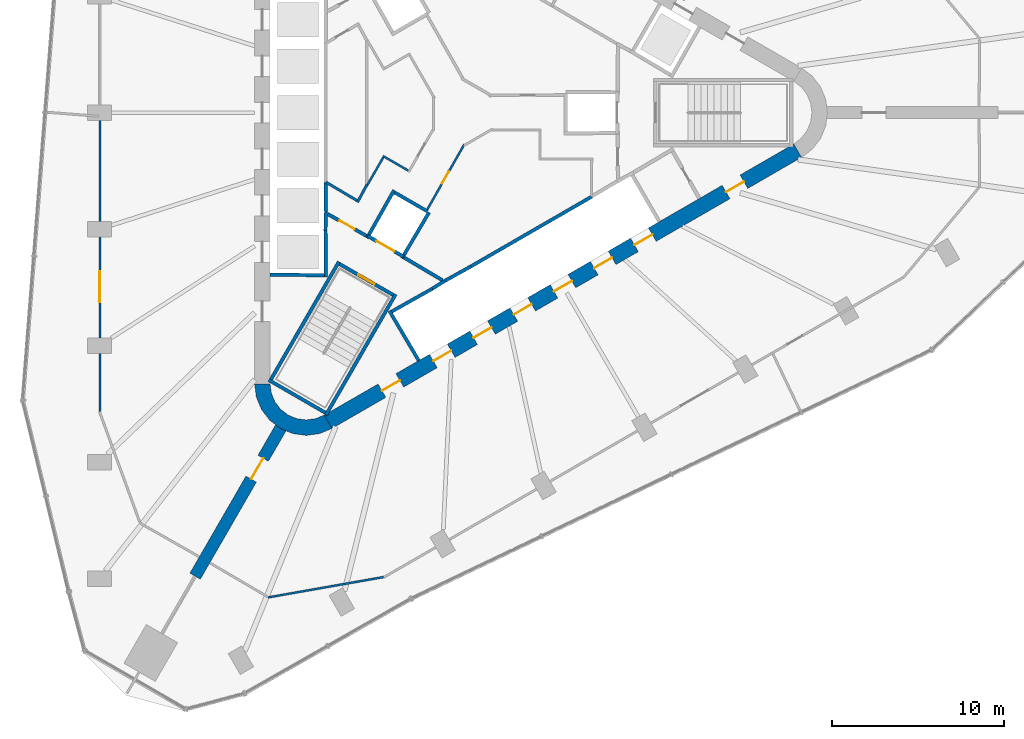
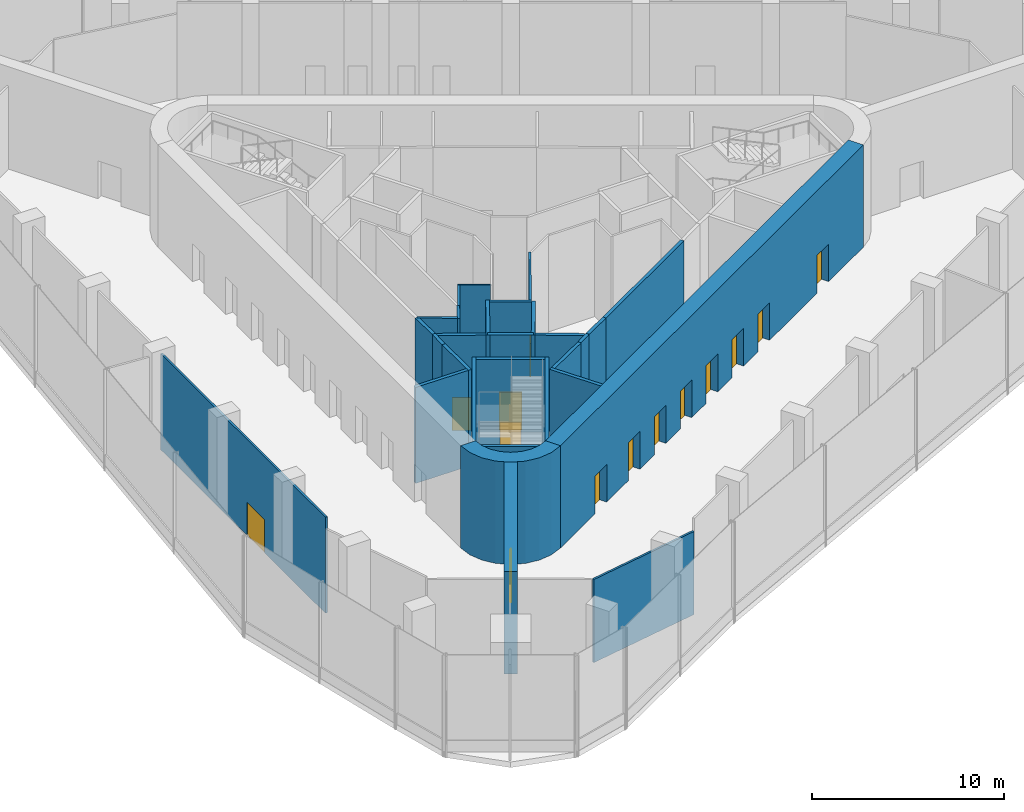
# One storey, part 8 of 15: 29 walls, 14 doors, 14 openings.
"""IFC4 building model written with IfcOpenShell, lengths in metres."""

from ifc_helpers import new_model, si_unit, direction, frame, frame_2d, origin, place, context, subcontext, project, spatial, polyline, rectangle, outline, extrude, material, layer, layer_set, type_object, element, fill, save


model = new_model("IFC4")

# Units and contexts
model_context = context("Model", 3, precision=1e-05, world=origin(), true_north=direction((0.0, 1.0)))
body_context = subcontext(model_context, "Body", "Model", "MODEL_VIEW")
ifc_project = project(units=[si_unit("LENGTHUNIT", "METRE"), si_unit("AREAUNIT", "SQUARE_METRE"), si_unit("VOLUMEUNIT", "CUBIC_METRE"), si_unit("PLANEANGLEUNIT", "RADIAN"), si_unit("MASSUNIT", "GRAM", prefix="KILO")], contexts=[model_context])

# Site, building, storey
site_placement = place(None, origin())
site = spatial("IfcSite", under=ifc_project, at=site_placement, CompositionType="ELEMENT")
building_placement = place(site_placement, origin())
building = spatial("IfcBuilding", under=site, at=building_placement, Name="Tanit Gate Tower", CompositionType="ELEMENT")
storey_placement = place(building_placement, frame((0.0, 0.0, 277.199951171875)))
storey = spatial("IfcBuildingStorey", under=building, at=storey_placement, Name="L63", CompositionType="ELEMENT", Elevation=277.199951171875)

# Wall, opening, door
ifc_material_1 = material(Name="Concrete C50/60", Category="concrete")
ifc_layer_1 = layer(ifc_material_1, 0.699951171875)
ifc_layer_set_1 = layer_set([ifc_layer_1], Name="BUTTRESS FIN 700 C50/60")
wall_type_1 = type_object("IfcWallType", Name="BUTTRESS FIN 700 C50/60", PredefinedType="SHEAR", material=ifc_layer_set_1)
wall_1_placement = place(storey_placement, frame((-10.574951171875, -18.31640625, 0.0), z_axis=(0.0, 0.0, 1.0), x_axis=(-0.500007350791, -0.866021159762, 0.0)))
wall_1 = element("IfcWall", 1, at=wall_1_placement, inside=storey, type_object=wall_type_1, Name="BUTTRESS FIN", PredefinedType="SHEAR", context=body_context, shape_type="SweptSolid", body=[
    extrude(rectangle(XDim=9.964599609375, YDim=0.699951171875, at=frame_2d((4.982421875, 0.0))), origin(), (0.0, 0.0, 1.0), 6.5),
])
opening_1_placement = place(wall_1_placement, frame((2.050048828125, 0.0, 0.0)))
opening_1 = element("IfcOpeningElement", 2, at=opening_1_placement, cuts=wall_1, Name="Opening P14-63-F-SW-1", PredefinedType="OPENING", context=body_context, shape_type="SweptSolid", body=[
    extrude(rectangle(XDim=1.39990234375, YDim=2.39990234375, at=frame_2d((0.699951171875, 1.199951171875))), frame((0.0, 0.35986328125, 0.0), z_axis=(0.0, -1.0, 0.0), x_axis=(1.0, 0.0, 0.0)), (0.0, 0.0, 1.0), 0.719970703125),
])
ifc_material_2 = material(Name="Timber door leaf", Category="wood")
door_type_1 = type_object("IfcDoorType", Name="INT-DOOR-FIN-PAIR-1400", OperationType="NOTDEFINED", PredefinedType="NOTDEFINED", material=ifc_material_2)
door_1_placement = place(opening_1_placement, origin())
door_1 = element("IfcDoor", 3, at=door_1_placement, inside=storey, type_object=door_type_1, Name="Door P14-63-F-SW-1", OperationType="DOUBLE_DOOR_SINGLE_SWING", OverallHeight=2.39990234375, OverallWidth=1.39990234375, PredefinedType="NOTDEFINED", context=body_context, shape_type="SweptSolid", body=[
    extrude(rectangle(XDim=1.39990234375, YDim=2.39990234375, at=frame_2d((0.699951171875, 1.199951171875))), frame((0.0, 0.02490234375, 0.0), z_axis=(0.0, -1.0, 0.0), x_axis=(1.0, 0.0, 0.0)), (0.0, 0.0, 1.0), 0.050048828125),
])
fill(opening_1, door_1)

# Wall, openings, doors
ifc_material_3 = material(Name="Concrete C50/60", Category="concrete")
ifc_layer_2 = layer(ifc_material_3, 0.89990234375)
ifc_layer_set_2 = layer_set([ifc_layer_2], Name="CORE WALL 900 C50/60")
wall_type_2 = type_object("IfcWallType", Name="CORE WALL 900 C50/60", PredefinedType="SHEAR", material=ifc_layer_set_2)
wall_2_placement = place(storey_placement, frame((-7.824951171875, -17.969970703125, 0.0), z_axis=(0.0, 0.0, 1.0), x_axis=(0.866028369851, 0.499994862586, 0.0)))
wall_2 = element("IfcWall", 4, at=wall_2_placement, inside=storey, type_object=wall_type_2, Name="CORE WALL", PredefinedType="SHEAR", context=body_context, shape_type="SweptSolid", body=[
    extrude(rectangle(XDim=31.523193359375, YDim=0.89990234375, at=frame_2d((15.76171875, 0.0))), origin(), (0.0, 0.0, 1.0), 6.5),
])
opening_2_placement = place(wall_2_placement, frame((7.061767578125, 0.0, 0.0)))
opening_2 = element("IfcOpeningElement", 5, at=opening_2_placement, cuts=wall_2, Name="Opening LDSX1-63", PredefinedType="OPENING", context=body_context, shape_type="SweptSolid", body=[
    extrude(rectangle(XDim=1.199951171875, YDim=2.39990234375, at=frame_2d((0.60009765625, 1.199951171875))), frame((0.0, 0.4599609375, 0.0), z_axis=(0.0, -1.0, 0.0), x_axis=(1.0, 0.0, 0.0)), (0.0, 0.0, 1.0), 0.919921875),
])
opening_3_placement = place(wall_2_placement, frame((9.76171875, 0.0, 0.0)))
opening_3 = element("IfcOpeningElement", 6, at=opening_3_placement, cuts=wall_2, Name="Opening LDSX2-63", PredefinedType="OPENING", context=body_context, shape_type="SweptSolid", body=[
    extrude(rectangle(XDim=1.199951171875, YDim=2.39990234375, at=frame_2d((0.60009765625, 1.199951171875))), frame((0.0, 0.4599609375, 0.0), z_axis=(0.0, -1.0, 0.0), x_axis=(1.0, 0.0, 0.0)), (0.0, 0.0, 1.0), 0.919921875),
])
opening_4_placement = place(wall_2_placement, frame((12.461669921875, 0.0, 0.0)))
opening_4 = element("IfcOpeningElement", 7, at=opening_4_placement, cuts=wall_2, Name="Opening LDSX3-63", PredefinedType="OPENING", context=body_context, shape_type="SweptSolid", body=[
    extrude(rectangle(XDim=1.199951171875, YDim=2.39990234375, at=frame_2d((0.60009765625, 1.199951171875))), frame((0.0, 0.4599609375, 0.0), z_axis=(0.0, -1.0, 0.0), x_axis=(1.0, 0.0, 0.0)), (0.0, 0.0, 1.0), 0.919921875),
])
opening_5_placement = place(wall_2_placement, frame((15.16162109375, 0.0, 0.0)))
opening_5 = element("IfcOpeningElement", 8, at=opening_5_placement, cuts=wall_2, Name="Opening LDSX4-63", PredefinedType="OPENING", context=body_context, shape_type="SweptSolid", body=[
    extrude(rectangle(XDim=1.199951171875, YDim=2.39990234375, at=frame_2d((0.60009765625, 1.199951171875))), frame((0.0, 0.4599609375, 0.0), z_axis=(0.0, -1.0, 0.0), x_axis=(1.0, 0.0, 0.0)), (0.0, 0.0, 1.0), 0.919921875),
])
opening_6_placement = place(wall_2_placement, frame((17.861572265625, 0.0, 0.0)))
opening_6 = element("IfcOpeningElement", 9, at=opening_6_placement, cuts=wall_2, Name="Opening LDSV1-63", PredefinedType="OPENING", context=body_context, shape_type="SweptSolid", body=[
    extrude(rectangle(XDim=1.199951171875, YDim=2.39990234375, at=frame_2d((0.60009765625, 1.199951171875))), frame((0.0, 0.4599609375, 0.0), z_axis=(0.0, -1.0, 0.0), x_axis=(1.0, 0.0, 0.0)), (0.0, 0.0, 1.0), 0.919921875),
])
opening_7_placement = place(wall_2_placement, frame((20.561767578125, 0.0, 0.0)))
opening_7 = element("IfcOpeningElement", 10, at=opening_7_placement, cuts=wall_2, Name="Opening LDSV2-63", PredefinedType="OPENING", context=body_context, shape_type="SweptSolid", body=[
    extrude(rectangle(XDim=1.199951171875, YDim=2.39990234375, at=frame_2d((0.60009765625, 1.199951171875))), frame((0.0, 0.4599609375, 0.0), z_axis=(0.0, -1.0, 0.0), x_axis=(1.0, 0.0, 0.0)), (0.0, 0.0, 1.0), 0.919921875),
])
opening_8_placement = place(wall_2_placement, frame((26.711669921875, 0.0, 0.0)))
opening_8 = element("IfcOpeningElement", 11, at=opening_8_placement, cuts=wall_2, Name="Opening F12-63-S1", PredefinedType="OPENING", context=body_context, shape_type="SweptSolid", body=[
    extrude(rectangle(XDim=1.199951171875, YDim=2.39990234375, at=frame_2d((0.60009765625, 1.199951171875))), frame((0.0, 0.4599609375, 0.0), z_axis=(0.0, -1.0, 0.0), x_axis=(1.0, 0.0, 0.0)), (0.0, 0.0, 1.0), 0.919921875),
])
opening_9_placement = place(wall_2_placement, frame((3.611572265625, 0.0, 0.0)))
opening_9 = element("IfcOpeningElement", 12, at=opening_9_placement, cuts=wall_2, Name="Opening F12-63-FL3", PredefinedType="OPENING", context=body_context, shape_type="SweptSolid", body=[
    extrude(rectangle(XDim=1.199951171875, YDim=2.39990234375, at=frame_2d((0.60009765625, 1.199951171875))), frame((0.0, 0.4599609375, 0.0), z_axis=(0.0, -1.0, 0.0), x_axis=(1.0, 0.0, 0.0)), (0.0, 0.0, 1.0), 0.919921875),
])
ifc_material_4 = material(Name="Fire-rated steel door leaf", Category="steel")
door_type_2 = type_object("IfcDoorType", Name="INT-DOOR-FIRE-LOBBY-1200", OperationType="NOTDEFINED", PredefinedType="USERDEFINED", material=ifc_material_4)
door_2_placement = place(opening_8_placement, origin())
door_2 = element("IfcDoor", 13, at=door_2_placement, inside=storey, type_object=door_type_2, Name="Door F12-63-S1", ObjectType="FIRE DOOR", OperationType="SINGLE_SWING_LEFT", OverallHeight=2.39990234375, OverallWidth=1.199951171875, PredefinedType="USERDEFINED", context=body_context, shape_type="SweptSolid", body=[
    extrude(rectangle(XDim=1.199951171875, YDim=2.39990234375, at=frame_2d((0.60009765625, 1.199951171875))), frame((0.0, 0.02490234375, 0.0), z_axis=(0.0, -1.0, 0.0), x_axis=(1.0, 0.0, 0.0)), (0.0, 0.0, 1.0), 0.050048828125),
])
fill(opening_8, door_2)
door_3_placement = place(opening_9_placement, origin())
door_3 = element("IfcDoor", 14, at=door_3_placement, inside=storey, type_object=door_type_2, Name="Door F12-63-FL3", ObjectType="FIRE DOOR", OperationType="SINGLE_SWING_RIGHT", OverallHeight=2.39990234375, OverallWidth=1.199951171875, PredefinedType="USERDEFINED", context=body_context, shape_type="SweptSolid", body=[
    extrude(rectangle(XDim=1.199951171875, YDim=2.39990234375, at=frame_2d((0.60009765625, 1.199951171875))), frame((0.0, 0.02490234375, 0.0), z_axis=(0.0, -1.0, 0.0), x_axis=(1.0, 0.0, 0.0)), (0.0, 0.0, 1.0), 0.050048828125),
])
fill(opening_9, door_3)
ifc_material_5 = material(Name="Stainless steel sliding door leaf", Category="steel")
door_type_3 = type_object("IfcDoorType", Name="INT-DOOR-LANDING-1200", OperationType="NOTDEFINED", PredefinedType="USERDEFINED", material=ifc_material_5)
door_4_placement = place(opening_2_placement, origin())
door_4 = element("IfcDoor", 15, at=door_4_placement, inside=storey, type_object=door_type_3, Name="Door LDSX1-63", ObjectType="LANDING DOOR", OperationType="SLIDING_TO_LEFT", OverallHeight=2.39990234375, OverallWidth=1.199951171875, PredefinedType="USERDEFINED", context=body_context, shape_type="SweptSolid", body=[
    extrude(rectangle(XDim=1.199951171875, YDim=2.39990234375, at=frame_2d((0.60009765625, 1.199951171875))), frame((0.0, 0.02490234375, 0.0), z_axis=(0.0, -1.0, 0.0), x_axis=(1.0, 0.0, 0.0)), (0.0, 0.0, 1.0), 0.050048828125),
])
fill(opening_2, door_4)
door_5_placement = place(opening_3_placement, origin())
door_5 = element("IfcDoor", 16, at=door_5_placement, inside=storey, type_object=door_type_3, Name="Door LDSX2-63", ObjectType="LANDING DOOR", OperationType="SLIDING_TO_LEFT", OverallHeight=2.39990234375, OverallWidth=1.199951171875, PredefinedType="USERDEFINED", context=body_context, shape_type="SweptSolid", body=[
    extrude(rectangle(XDim=1.199951171875, YDim=2.39990234375, at=frame_2d((0.60009765625, 1.199951171875))), frame((0.0, 0.02490234375, 0.0), z_axis=(0.0, -1.0, 0.0), x_axis=(1.0, 0.0, 0.0)), (0.0, 0.0, 1.0), 0.050048828125),
])
fill(opening_3, door_5)
door_6_placement = place(opening_4_placement, origin())
door_6 = element("IfcDoor", 17, at=door_6_placement, inside=storey, type_object=door_type_3, Name="Door LDSX3-63", ObjectType="LANDING DOOR", OperationType="SLIDING_TO_LEFT", OverallHeight=2.39990234375, OverallWidth=1.199951171875, PredefinedType="USERDEFINED", context=body_context, shape_type="SweptSolid", body=[
    extrude(rectangle(XDim=1.199951171875, YDim=2.39990234375, at=frame_2d((0.60009765625, 1.199951171875))), frame((0.0, 0.02490234375, 0.0), z_axis=(0.0, -1.0, 0.0), x_axis=(1.0, 0.0, 0.0)), (0.0, 0.0, 1.0), 0.050048828125),
])
fill(opening_4, door_6)
door_7_placement = place(opening_5_placement, origin())
door_7 = element("IfcDoor", 18, at=door_7_placement, inside=storey, type_object=door_type_3, Name="Door LDSX4-63", ObjectType="LANDING DOOR", OperationType="SLIDING_TO_LEFT", OverallHeight=2.39990234375, OverallWidth=1.199951171875, PredefinedType="USERDEFINED", context=body_context, shape_type="SweptSolid", body=[
    extrude(rectangle(XDim=1.199951171875, YDim=2.39990234375, at=frame_2d((0.60009765625, 1.199951171875))), frame((0.0, 0.02490234375, 0.0), z_axis=(0.0, -1.0, 0.0), x_axis=(1.0, 0.0, 0.0)), (0.0, 0.0, 1.0), 0.050048828125),
])
fill(opening_5, door_7)
door_8_placement = place(opening_6_placement, origin())
door_8 = element("IfcDoor", 19, at=door_8_placement, inside=storey, type_object=door_type_3, Name="Door LDSV1-63", ObjectType="LANDING DOOR", OperationType="SLIDING_TO_LEFT", OverallHeight=2.39990234375, OverallWidth=1.199951171875, PredefinedType="USERDEFINED", context=body_context, shape_type="SweptSolid", body=[
    extrude(rectangle(XDim=1.199951171875, YDim=2.39990234375, at=frame_2d((0.60009765625, 1.199951171875))), frame((0.0, 0.02490234375, 0.0), z_axis=(0.0, -1.0, 0.0), x_axis=(1.0, 0.0, 0.0)), (0.0, 0.0, 1.0), 0.050048828125),
])
fill(opening_6, door_8)
door_9_placement = place(opening_7_placement, origin())
door_9 = element("IfcDoor", 20, at=door_9_placement, inside=storey, type_object=door_type_3, Name="Door LDSV2-63", ObjectType="LANDING DOOR", OperationType="SLIDING_TO_LEFT", OverallHeight=2.39990234375, OverallWidth=1.199951171875, PredefinedType="USERDEFINED", context=body_context, shape_type="SweptSolid", body=[
    extrude(rectangle(XDim=1.199951171875, YDim=2.39990234375, at=frame_2d((0.60009765625, 1.199951171875))), frame((0.0, 0.02490234375, 0.0), z_axis=(0.0, -1.0, 0.0), x_axis=(1.0, 0.0, 0.0)), (0.0, 0.0, 1.0), 0.050048828125),
])
fill(opening_7, door_9)

# Walls
wall_3_placement = place(storey_placement, origin())
element("IfcWall", 21, at=wall_3_placement, inside=storey, type_object=wall_type_2, Name="CORE WALL CORNER", PredefinedType="SHEAR", context=body_context, shape_type="SweptSolid", body=[
    extrude(outline(polyline([(-12.10009765625, -15.76171875), (-11.997802734375, -16.5380859375), (-11.697998046875, -17.26171875), (-11.22119140625, -17.883056640625), (-10.60009765625, -18.359619140625), (-9.87646484375, -18.659423828125), (-9.10009765625, -18.76171875), (-8.323486328125, -18.659423828125), (-7.60009765625, -18.359619140625), (-8.050048828125, -17.580322265625), (-8.556396484375, -17.7900390625), (-9.10009765625, -17.86181640625), (-9.6435546875, -17.7900390625), (-10.14990234375, -17.580322265625), (-10.5849609375, -17.24658203125), (-10.918701171875, -16.811767578125), (-11.12841796875, -16.30517578125), (-11.199951171875, -15.76171875), (-12.10009765625, -15.76171875)])), origin(), (0.0, 0.0, 1.0), 6.5),
])
ifc_material_6 = material(Name="Fire-rated gypsum board partition")
ifc_layer_3 = layer(ifc_material_6, 0.199951171875)
ifc_layer_set_3 = layer_set([ifc_layer_3], Name="INT-WALL-COMPARTMENT")
wall_type_3 = type_object("IfcWallType", Name="INT-WALL-COMPARTMENT", PredefinedType="PARTITIONING", material=ifc_layer_set_3)
wall_4_placement = place(storey_placement, frame((-3.400634765625, -8.43017578125, 0.0), z_axis=(0.0, 0.0, 1.0), x_axis=(0.860615607571, -0.509255118781, 0.0)))
element("IfcWall", 22, at=wall_4_placement, inside=storey, type_object=wall_type_3, Name="Wall Compartment W065", PredefinedType="PARTITIONING", context=body_context, shape_type="SweptSolid", body=[
    extrude(rectangle(XDim=2.58056640625, YDim=0.199951171875, at=frame_2d((1.290283203125, 0.0))), origin(), (0.0, 0.0, 1.0), 6.10009765625),
])

# Wall, opening, door
wall_5_placement = place(storey_placement, frame((-7.849365234375, -5.893798828125, 0.0), z_axis=(0.0, 0.0, 1.0), x_axis=(0.871363259478, -0.490638431059, 0.0)))
wall_5 = element("IfcWall", 23, at=wall_5_placement, inside=storey, type_object=wall_type_3, Name="Wall Compartment W066", PredefinedType="PARTITIONING", context=body_context, shape_type="SweptSolid", body=[
    extrude(rectangle(XDim=2.5810546875, YDim=0.199951171875, at=frame_2d((1.29052734375, 0.0))), origin(), (0.0, 0.0, 1.0), 6.10009765625),
])
opening_10_placement = place(wall_5_placement, frame((0.79052734375, 0.0, 0.0)))
opening_10 = element("IfcOpeningElement", 24, at=opening_10_placement, cuts=wall_5, Name="Opening F10-63-08", PredefinedType="OPENING", context=body_context, shape_type="SweptSolid", body=[
    extrude(rectangle(XDim=1.0, YDim=2.10009765625, at=frame_2d((0.5, 1.050048828125))), frame((0.0, 0.10986328125, 0.0), z_axis=(0.0, -1.0, 0.0), x_axis=(1.0, 0.0, 0.0)), (0.0, 0.0, 1.0), 0.219970703125),
])
ifc_material_7 = material(Name="Fire-rated steel door leaf", Category="steel")
door_type_4 = type_object("IfcDoorType", Name="INT-DOOR-FIRE-1000", OperationType="NOTDEFINED", PredefinedType="USERDEFINED", material=ifc_material_7)
door_10_placement = place(opening_10_placement, origin())
door_10 = element("IfcDoor", 25, at=door_10_placement, inside=storey, type_object=door_type_4, Name="Door F10-63-08", ObjectType="FIRE DOOR", OperationType="SINGLE_SWING_RIGHT", OverallHeight=2.10009765625, OverallWidth=1.0, PredefinedType="USERDEFINED", context=body_context, shape_type="SweptSolid", body=[
    extrude(rectangle(XDim=1.0, YDim=2.10009765625, at=frame_2d((0.5, 1.050048828125))), frame((0.0, 0.02490234375, 0.0), z_axis=(0.0, -1.0, 0.0), x_axis=(1.0, 0.0, 0.0)), (0.0, 0.0, 1.0), 0.050048828125),
])
fill(opening_10, door_10)

ifc_material_8 = material(Name="Gypsum board partition")
ifc_layer_4 = layer(ifc_material_8, 0.1201171875)
ifc_layer_set_4 = layer_set([ifc_layer_4], Name="INT-WALL-PARTITION")
wall_type_4 = type_object("IfcWallType", Name="INT-WALL-PARTITION", PredefinedType="PARTITIONING", material=ifc_layer_set_4)
wall_6_placement = place(storey_placement, frame((0.09375, -1.8359375, 0.0), z_axis=(0.0, 0.0, 1.0), x_axis=(-0.494097972448, -0.869406230495, 0.0)))
wall_6 = element("IfcWall", 26, at=wall_6_placement, inside=storey, type_object=wall_type_4, Name="Wall Partition W070", PredefinedType="PARTITIONING", context=body_context, shape_type="SweptSolid", body=[
    extrude(rectangle(XDim=4.357177734375, YDim=0.1201171875, at=frame_2d((2.1787109375, 0.0))), origin(), (0.0, 0.0, 1.0), 6.10009765625),
])
opening_11_placement = place(wall_6_placement, frame((1.82958984375, 0.0, 0.0)))
opening_11 = element("IfcOpeningElement", 27, at=opening_11_placement, cuts=wall_6, Name="Opening R08-63-11", PredefinedType="OPENING", context=body_context, shape_type="SweptSolid", body=[
    extrude(rectangle(XDim=0.800048828125, YDim=2.10009765625, at=frame_2d((0.39990234375, 1.050048828125))), frame((0.0, 0.070068359375, 0.0), z_axis=(0.0, -1.0, 0.0), x_axis=(1.0, 0.0, 0.0)), (0.0, 0.0, 1.0), 0.14013671875),
])
ifc_material_9 = material(Name="Timber door leaf", Category="wood")
door_type_5 = type_object("IfcDoorType", Name="INT-DOOR-RISER-800", OperationType="NOTDEFINED", PredefinedType="USERDEFINED", material=ifc_material_9)
door_11_placement = place(opening_11_placement, origin())
door_11 = element("IfcDoor", 28, at=door_11_placement, inside=storey, type_object=door_type_5, Name="Door R08-63-11", ObjectType="FIRE DOOR", OperationType="SINGLE_SWING_LEFT", OverallHeight=2.10009765625, OverallWidth=0.800048828125, PredefinedType="USERDEFINED", context=body_context, shape_type="SweptSolid", body=[
    extrude(rectangle(XDim=0.800048828125, YDim=2.10009765625, at=frame_2d((0.39990234375, 1.050048828125))), frame((0.0, 0.02490234375, 0.0), z_axis=(0.0, -1.0, 0.0), x_axis=(1.0, 0.0, 0.0)), (0.0, 0.0, 1.0), 0.050048828125),
])
fill(opening_11, door_11)

# Walls
wall_7_placement = place(storey_placement, frame((-4.64013671875, -2.51708984375, 0.0), z_axis=(0.0, 0.0, 1.0), x_axis=(0.865989465428, -0.500062241894, 0.0)))
element("IfcWall", 29, at=wall_7_placement, inside=storey, type_object=wall_type_4, Name="Wall Partition W086", PredefinedType="PARTITIONING", context=body_context, shape_type="SweptSolid", body=[
    extrude(rectangle(XDim=1.699951171875, YDim=0.1201171875, at=frame_2d((0.85009765625, 0.0))), origin(), (0.0, 0.0, 1.0), 6.10009765625),
])
wall_8_placement = place(storey_placement, frame((-5.57080078125, -4.248779296875, 0.0), z_axis=(0.0, 0.0, 1.0), x_axis=(0.500081145431, 0.865978549379, 0.0)))
element("IfcWall", 30, at=wall_8_placement, inside=storey, type_object=wall_type_4, Name="Wall Partition W087", PredefinedType="PARTITIONING", context=body_context, shape_type="SweptSolid", body=[
    extrude(rectangle(XDim=1.905029296875, YDim=0.1201171875, at=frame_2d((0.95263671875, 0.0))), origin(), (0.0, 0.0, 1.0), 6.10009765625),
])

# Wall, opening, door
wall_9_placement = place(storey_placement, frame((-21.10009765625, -0.217529296875, 0.0), z_axis=(0.0, 0.0, 1.0), x_axis=(0.0, -1.0, 0.0)))
wall_9 = element("IfcWall", 31, at=wall_9_placement, inside=storey, type_object=wall_type_4, Name="Wall Partition W093", PredefinedType="PARTITIONING", context=body_context, shape_type="SweptSolid", body=[
    extrude(rectangle(XDim=17.150390625, YDim=0.1201171875, at=frame_2d((8.5751953125, 0.0))), origin(), (0.0, 0.0, 1.0), 6.10009765625),
])
opening_12_placement = place(wall_9_placement, frame((9.0, 0.0, 0.0)))
opening_12 = element("IfcOpeningElement", 32, at=opening_12_placement, cuts=wall_9, Name="Opening D18-63-20", PredefinedType="OPENING", context=body_context, shape_type="SweptSolid", body=[
    extrude(rectangle(XDim=1.800048828125, YDim=2.10009765625, at=frame_2d((0.89990234375, 1.050048828125))), frame((0.0, 0.070068359375, 0.0), z_axis=(0.0, -1.0, 0.0), x_axis=(1.0, 0.0, 0.0)), (0.0, 0.0, 1.0), 0.14013671875),
])
ifc_material_10 = material(Name="Timber door leaf", Category="wood")
door_type_6 = type_object("IfcDoorType", Name="INT-DOOR-PAIR-1800", OperationType="NOTDEFINED", PredefinedType="NOTDEFINED", material=ifc_material_10)
door_12_placement = place(opening_12_placement, origin())
door_12 = element("IfcDoor", 33, at=door_12_placement, inside=storey, type_object=door_type_6, Name="Door D18-63-20", OperationType="DOUBLE_DOOR_SINGLE_SWING", OverallHeight=2.10009765625, OverallWidth=1.800048828125, PredefinedType="NOTDEFINED", context=body_context, shape_type="SweptSolid", body=[
    extrude(rectangle(XDim=1.800048828125, YDim=2.10009765625, at=frame_2d((0.89990234375, 1.050048828125))), frame((0.0, 0.02490234375, 0.0), z_axis=(0.0, -1.0, 0.0), x_axis=(1.0, 0.0, 0.0)), (0.0, 0.0, 1.0), 0.050048828125),
])
fill(opening_12, door_12)

# Walls
wall_10_placement = place(storey_placement, frame((-11.310791015625, -28.180419921875, 0.0), z_axis=(0.0, 0.0, 1.0), x_axis=(0.984809524805, 0.173638129032, 0.0)))
element("IfcWall", 34, at=wall_10_placement, inside=storey, type_object=wall_type_4, Name="Wall Partition W113", PredefinedType="PARTITIONING", context=body_context, shape_type="SweptSolid", body=[
    extrude(rectangle(XDim=6.812255859375, YDim=0.1201171875, at=frame_2d((3.40625, 0.0))), origin(), (0.0, 0.0, 1.0), 5.280029296875),
])
ifc_material_11 = material(Name="Fire-rated gypsum board partition")
ifc_layer_5 = layer(ifc_material_11, 0.14990234375)
ifc_layer_set_5 = layer_set([ifc_layer_5], Name="INT-WALL-RISER")
wall_type_5 = type_object("IfcWallType", Name="INT-WALL-RISER", PredefinedType="PLUMBINGWALL", material=ifc_layer_set_5)
wall_11_placement = place(storey_placement, frame((-6.1240234375, -5.211181640625, 0.0), z_axis=(0.0, 0.0, 1.0), x_axis=(0.476228984866, 0.879321303036, 0.0)))
element("IfcWall", 35, at=wall_11_placement, inside=storey, type_object=wall_type_5, Name="Wall Riser W077", PredefinedType="PLUMBINGWALL", context=body_context, shape_type="SweptSolid", body=[
    extrude(rectangle(XDim=1.16162109375, YDim=0.14990234375, at=frame_2d((0.580810546875, 0.0))), origin(), (0.0, 0.0, 1.0), 6.10009765625),
])
wall_12_placement = place(storey_placement, frame((-7.949951171875, -4.041015625, 0.0), z_axis=(0.0, 0.0, 1.0), x_axis=(0.860090281069, -0.510141851263, 0.0)))
element("IfcWall", 36, at=wall_12_placement, inside=storey, type_object=wall_type_5, Name="Wall Riser W078", PredefinedType="PLUMBINGWALL", context=body_context, shape_type="SweptSolid", body=[
    extrude(rectangle(XDim=2.08935546875, YDim=0.14990234375, at=frame_2d((1.044677734375, 0.0))), origin(), (0.0, 0.0, 1.0), 6.10009765625),
])
ifc_material_12 = material(Name="Gypsum shaft wall system")
ifc_layer_6 = layer(ifc_material_12, 0.199951171875)
ifc_layer_set_6 = layer_set([ifc_layer_6], Name="INT-WALL-SHAFT")
wall_type_6 = type_object("IfcWallType", Name="INT-WALL-SHAFT", PredefinedType="PLUMBINGWALL", material=ifc_layer_set_6)
wall_13_placement = place(storey_placement, frame((-7.949951171875, -5.7724609375, 0.0), z_axis=(0.0, 0.0, 1.0), x_axis=(-0.030803413295, -0.999525462272, 0.0)))
element("IfcWall", 37, at=wall_13_placement, inside=storey, type_object=wall_type_6, Name="Wall Shaft W008", PredefinedType="PLUMBINGWALL", context=body_context, shape_type="SweptSolid", body=[
    extrude(rectangle(XDim=1.077880859375, YDim=0.199951171875, at=frame_2d((0.5390625, 0.0))), origin(), (0.0, 0.0, 1.0), 6.10009765625),
])
wall_14_placement = place(storey_placement, frame((-7.971435546875, -4.050048828125, 0.0), z_axis=(0.0, 0.0, 1.0), x_axis=(0.012042535896, -0.999927486035, 0.0)))
element("IfcWall", 38, at=wall_14_placement, inside=storey, type_object=wall_type_6, Name="Wall Shaft W009", PredefinedType="PLUMBINGWALL", context=body_context, shape_type="SweptSolid", body=[
    extrude(rectangle(XDim=1.844970703125, YDim=0.199951171875, at=frame_2d((0.92236328125, 0.0))), origin(), (0.0, 0.0, 1.0), 6.10009765625),
])
wall_15_placement = place(storey_placement, frame((-7.97900390625, -6.85009765625, 0.0), z_axis=(0.0, 0.0, 1.0), x_axis=(0.011121475088, -0.999938154483, 0.0)))
element("IfcWall", 39, at=wall_15_placement, inside=storey, type_object=wall_type_6, Name="Wall Shaft W010", PredefinedType="PLUMBINGWALL", context=body_context, shape_type="SweptSolid", body=[
    extrude(rectangle(XDim=2.7001953125, YDim=0.199951171875, at=frame_2d((1.35009765625, 0.0))), origin(), (0.0, 0.0, 1.0), 6.10009765625),
])
wall_16_placement = place(storey_placement, frame((-8.050048828125, -9.448974609375, 0.0), z_axis=(0.0, 0.0, 1.0), x_axis=(-0.999957467379, 0.009222983926, 0.0)))
element("IfcWall", 40, at=wall_16_placement, inside=storey, type_object=wall_type_6, Name="Wall Shaft W011", PredefinedType="PLUMBINGWALL", context=body_context, shape_type="SweptSolid", body=[
    extrude(rectangle(XDim=3.150146484375, YDim=0.199951171875, at=frame_2d((1.5751953125, 0.0))), origin(), (0.0, 0.0, 1.0), 6.10009765625),
])
wall_17_placement = place(storey_placement, frame((0.482666015625, -8.935791015625, 0.0), z_axis=(0.0, 0.0, 1.0), x_axis=(0.866030989016, 0.499990325971, 0.0)))
element("IfcWall", 41, at=wall_17_placement, inside=storey, type_object=wall_type_6, Name="Wall Shaft W023", PredefinedType="PLUMBINGWALL", context=body_context, shape_type="SweptSolid", body=[
    extrude(rectangle(XDim=8.099853515625, YDim=0.199951171875, at=frame_2d((4.0498046875, 0.0))), origin(), (0.0, 0.0, 1.0), 6.10009765625),
])
wall_18_placement = place(storey_placement, frame((-2.557861328125, -14.409423828125, 0.0), z_axis=(0.0, 0.0, 1.0), x_axis=(-0.507997497166, 0.861358544901, 0.0)))
element("IfcWall", 42, at=wall_18_placement, inside=storey, type_object=wall_type_6, Name="Wall Shaft W019", PredefinedType="PLUMBINGWALL", context=body_context, shape_type="SweptSolid", body=[
    extrude(rectangle(XDim=3.350341796875, YDim=0.199951171875, at=frame_2d((1.67529296875, 0.0))), origin(), (0.0, 0.0, 1.0), 6.10009765625),
])
wall_19_placement = place(storey_placement, frame((-1.7685546875, -10.23681640625, 0.0), z_axis=(0.0, 0.0, 1.0), x_axis=(-0.871534483978, -0.490334215854, 0.0)))
element("IfcWall", 43, at=wall_19_placement, inside=storey, type_object=wall_type_6, Name="Wall Shaft W020", PredefinedType="PLUMBINGWALL", context=body_context, shape_type="SweptSolid", body=[
    extrude(rectangle(XDim=2.7001953125, YDim=0.199951171875, at=frame_2d((1.35009765625, 0.0))), origin(), (0.0, 0.0, 1.0), 6.10009765625),
])
wall_20_placement = place(storey_placement, frame((-1.02392578125, -9.77099609375, 0.0), z_axis=(0.0, 0.0, 1.0), x_axis=(-0.850348075135, -0.526220629693, 0.0)))
element("IfcWall", 44, at=wall_20_placement, inside=storey, type_object=wall_type_6, Name="Wall Shaft W021", PredefinedType="PLUMBINGWALL", context=body_context, shape_type="SweptSolid", body=[
    extrude(rectangle(XDim=0.878173828125, YDim=0.199951171875, at=frame_2d((0.43896484375, 0.0))), origin(), (0.0, 0.0, 1.0), 6.10009765625),
])
wall_21_placement = place(storey_placement, frame((-1.130126953125, -9.831298828125, 0.0), z_axis=(0.0, 0.0, 1.0), x_axis=(0.874269620932, 0.485440655401, 0.0)))
element("IfcWall", 45, at=wall_21_placement, inside=storey, type_object=wall_type_6, Name="Wall Shaft W022", PredefinedType="PLUMBINGWALL", context=body_context, shape_type="SweptSolid", body=[
    extrude(rectangle(XDim=1.8447265625, YDim=0.199951171875, at=frame_2d((0.92236328125, 0.0))), origin(), (0.0, 0.0, 1.0), 6.10009765625),
])

# Wall, opening, door
wall_22_placement = place(storey_placement, frame((-3.44580078125, -8.3681640625, 0.0), z_axis=(0.0, 0.0, 1.0), x_axis=(-0.866024647952, 0.500001309137, 0.0)))
wall_22 = element("IfcWall", 46, at=wall_22_placement, inside=storey, type_object=wall_type_6, Name="Wall Shaft W045", PredefinedType="PLUMBINGWALL", context=body_context, shape_type="SweptSolid", body=[
    extrude(rectangle(XDim=2.39990234375, YDim=0.199951171875, at=frame_2d((1.199951171875, 0.0))), origin(), (0.0, 0.0, 1.0), 6.10009765625),
])
opening_13_placement = place(wall_22_placement, frame((0.60009765625, 0.0, 0.0)))
opening_13 = element("IfcOpeningElement", 47, at=opening_13_placement, cuts=wall_22, Name="Opening LDFL3-L63", PredefinedType="OPENING", context=body_context, shape_type="SweptSolid", body=[
    extrude(rectangle(XDim=1.199951171875, YDim=2.39990234375, at=frame_2d((0.60009765625, 1.199951171875))), frame((0.0, 0.10986328125, 0.0), z_axis=(0.0, -1.0, 0.0), x_axis=(1.0, 0.0, 0.0)), (0.0, 0.0, 1.0), 0.219970703125),
])
door_13_placement = place(opening_13_placement, origin())
door_13 = element("IfcDoor", 48, at=door_13_placement, inside=storey, type_object=door_type_3, Name="Door LDFL3-L63", ObjectType="LANDING DOOR", OperationType="SLIDING_TO_LEFT", OverallHeight=2.39990234375, OverallWidth=1.199951171875, PredefinedType="USERDEFINED", context=body_context, shape_type="SweptSolid", body=[
    extrude(rectangle(XDim=1.199951171875, YDim=2.39990234375, at=frame_2d((0.60009765625, 1.199951171875))), frame((0.0, 0.02490234375, 0.0), z_axis=(0.0, -1.0, 0.0), x_axis=(1.0, 0.0, 0.0)), (0.0, 0.0, 1.0), 0.050048828125),
])
fill(opening_13, door_13)

# Walls
wall_23_placement = place(storey_placement, frame((-1.960693359375, -5.796142578125, 0.0), z_axis=(0.0, 0.0, 1.0), x_axis=(-0.508647062354, -0.860975125052, 0.0)))
element("IfcWall", 49, at=wall_23_placement, inside=storey, type_object=wall_type_6, Name="Wall Shaft W046", PredefinedType="PLUMBINGWALL", context=body_context, shape_type="SweptSolid", body=[
    extrude(rectangle(XDim=3.10009765625, YDim=0.199951171875, at=frame_2d((1.550048828125, 0.0))), origin(), (0.0, 0.0, 1.0), 6.10009765625),
])
wall_24_placement = place(storey_placement, frame((-3.989990234375, -4.509033203125, 0.0), z_axis=(0.0, 0.0, 1.0), x_axis=(-0.491358283181, -0.870957540612, 0.0)))
element("IfcWall", 50, at=wall_24_placement, inside=storey, type_object=wall_type_6, Name="Wall Shaft W047", PredefinedType="PLUMBINGWALL", context=body_context, shape_type="SweptSolid", body=[
    extrude(rectangle(XDim=3.200439453125, YDim=0.199951171875, at=frame_2d((1.60009765625, 0.0))), origin(), (0.0, 0.0, 1.0), 6.10009765625),
])
wall_25_placement = place(storey_placement, frame((-3.95263671875, -4.646240234375, 0.0), z_axis=(0.0, 0.0, 1.0), x_axis=(0.866038900241, -0.499976622722, 0.0)))
element("IfcWall", 51, at=wall_25_placement, inside=storey, type_object=wall_type_6, Name="Wall Shaft W048", PredefinedType="PLUMBINGWALL", context=body_context, shape_type="SweptSolid", body=[
    extrude(rectangle(XDim=2.189453125, YDim=0.199951171875, at=frame_2d((1.0947265625, 0.0))), origin(), (0.0, 0.0, 1.0), 6.10009765625),
])
ifc_material_13 = material(Name="Concrete C40/50", Category="concrete")
ifc_layer_7 = layer(ifc_material_13, 0.199951171875)
ifc_layer_set_7 = layer_set([ifc_layer_7], Name="INT-WALL-STAIR")
wall_type_7 = type_object("IfcWallType", Name="INT-WALL-STAIR", PredefinedType="SHEAR", material=ifc_layer_set_7)
wall_26_placement = place(storey_placement, frame((-3.904541015625, -10.56298828125, -0.349853515625), z_axis=(0.0, 0.0, 1.0), x_axis=(-0.500012932018, -0.866017937352, 0.0)))
element("IfcWall", 52, at=wall_26_placement, inside=storey, type_object=wall_type_7, Name="Wall Stair W041", PredefinedType="SHEAR", context=body_context, shape_type="SweptSolid", body=[
    extrude(rectangle(XDim=8.099853515625, YDim=0.199951171875, at=frame_2d((4.0498046875, 0.0))), origin(), (0.0, 0.0, 1.0), 6.449951171875),
])
wall_27_placement = place(storey_placement, frame((-11.281982421875, -15.541015625, -0.349853515625), z_axis=(0.0, 0.0, 1.0), x_axis=(0.866000483506, -0.500043160704, 0.0)))
element("IfcWall", 53, at=wall_27_placement, inside=storey, type_object=wall_type_7, Name="Wall Stair W042", PredefinedType="SHEAR", context=body_context, shape_type="SweptSolid", body=[
    extrude(rectangle(XDim=3.800048828125, YDim=0.199951171875, at=frame_2d((1.89990234375, 0.0))), origin(), (0.0, 0.0, 1.0), 6.449951171875),
])
wall_28_placement = place(storey_placement, frame((-7.195556640625, -8.662841796875, -0.349853515625), z_axis=(0.0, 0.0, 1.0), x_axis=(-0.499997992926, -0.866026562566, 0.0)))
element("IfcWall", 54, at=wall_28_placement, inside=storey, type_object=wall_type_7, Name="Wall Stair W043", PredefinedType="SHEAR", context=body_context, shape_type="SweptSolid", body=[
    extrude(rectangle(XDim=7.89990234375, YDim=0.199951171875, at=frame_2d((3.949951171875, 0.0))), origin(), (0.0, 0.0, 1.0), 6.449951171875),
])

# Wall, opening, door
wall_29_placement = place(storey_placement, frame((-4.041259765625, -10.599365234375, -0.349853515625), z_axis=(0.0, 0.0, 1.0), x_axis=(-0.866047807691, 0.499961193289, 0.0)))
wall_29 = element("IfcWall", 55, at=wall_29_placement, inside=storey, type_object=wall_type_7, Name="Wall Stair W044", PredefinedType="SHEAR", context=body_context, shape_type="SweptSolid", body=[
    extrude(rectangle(XDim=3.599853515625, YDim=0.199951171875, at=frame_2d((1.7998046875, 0.0))), origin(), (0.0, 0.0, 1.0), 6.449951171875),
])
opening_14_placement = place(wall_29_placement, frame((1.25, 0.0, 0.35009765625)))
opening_14 = element("IfcOpeningElement", 56, at=opening_14_placement, cuts=wall_29, Name="Opening S11-63-07", PredefinedType="OPENING", context=body_context, shape_type="SweptSolid", body=[
    extrude(rectangle(XDim=1.10009765625, YDim=2.10009765625, at=frame_2d((0.550048828125, 1.050048828125))), frame((0.0, 0.10986328125, 0.0), z_axis=(0.0, -1.0, 0.0), x_axis=(1.0, 0.0, 0.0)), (0.0, 0.0, 1.0), 0.219970703125),
])
ifc_material_14 = material(Name="Timber door leaf", Category="wood")
door_type_7 = type_object("IfcDoorType", Name="INT-DOOR-STAIR-1100", OperationType="NOTDEFINED", PredefinedType="USERDEFINED", material=ifc_material_14)
door_14_placement = place(opening_14_placement, origin())
door_14 = element("IfcDoor", 57, at=door_14_placement, inside=storey, type_object=door_type_7, Name="Door S11-63-07", ObjectType="FIRE DOOR", OperationType="SINGLE_SWING_RIGHT", OverallHeight=2.10009765625, OverallWidth=1.10009765625, PredefinedType="USERDEFINED", context=body_context, shape_type="SweptSolid", body=[
    extrude(rectangle(XDim=1.10009765625, YDim=2.10009765625, at=frame_2d((0.550048828125, 1.050048828125))), frame((0.0, 0.02490234375, 0.0), z_axis=(0.0, -1.0, 0.0), x_axis=(1.0, 0.0, 0.0)), (0.0, 0.0, 1.0), 0.050048828125),
])
fill(opening_14, door_14)

save(model, "model.ifc")
